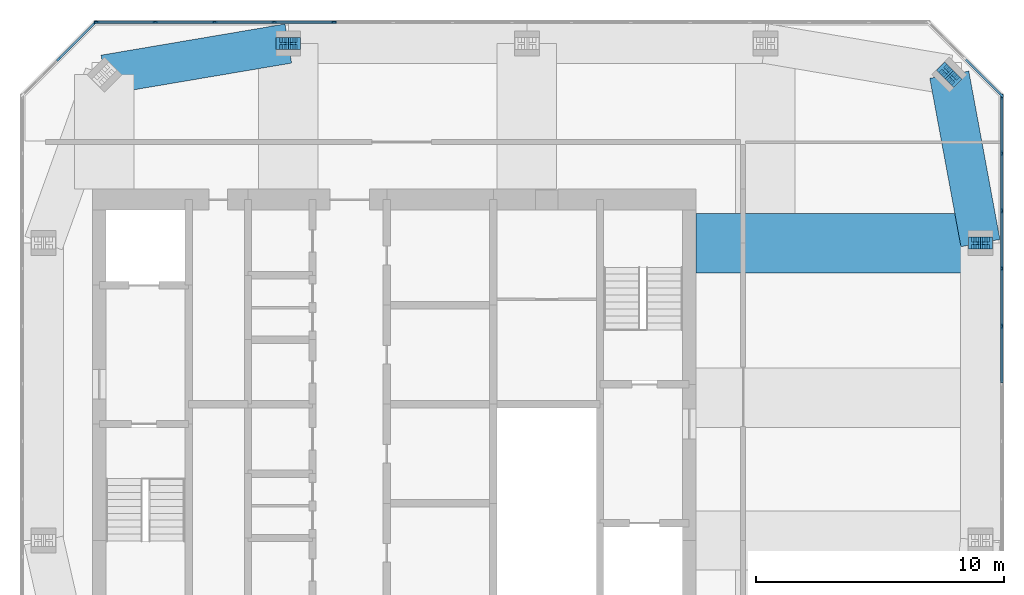
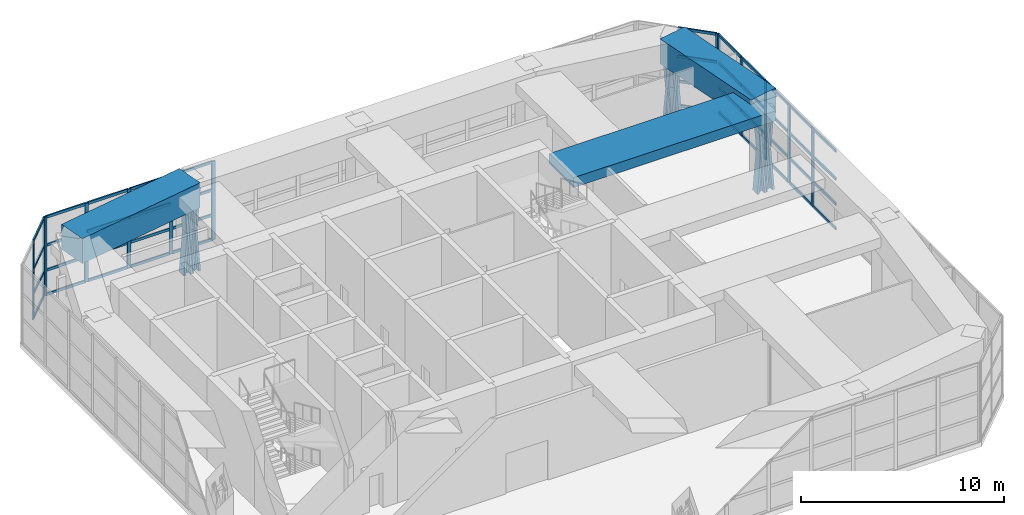
# One storey, part 6 of 14: 69 members, 3 beams, 4 elements without a shape of their own.
"""IFC4 building model written with IfcOpenShell, lengths in metres."""

from ifc_helpers import new_model, si_unit, direction, frame, origin, origin_2d, place, context, subcontext, project, spatial, rectangle, i_section, extrude, material, material_profile, profile_set, type_object, element, aggregate, save


model = new_model("IFC4")

# Units and contexts
model_context = context("Model", 3, precision=1e-05, world=origin(), true_north=direction((0.0, 1.0)))
body_context = subcontext(model_context, "Body", "Model", "MODEL_VIEW")
ifc_project = project(units=[si_unit("LENGTHUNIT", "METRE"), si_unit("AREAUNIT", "SQUARE_METRE"), si_unit("VOLUMEUNIT", "CUBIC_METRE"), si_unit("PLANEANGLEUNIT", "RADIAN"), si_unit("MASSUNIT", "GRAM", prefix="KILO")], contexts=[model_context])

# Site, building, storey
site_placement = place(None, origin())
site = spatial("IfcSite", under=ifc_project, at=site_placement, CompositionType="ELEMENT")
building_placement = place(site_placement, origin())
building = spatial("IfcBuilding", under=site, at=building_placement, Name="Jalousie Tower", CompositionType="ELEMENT")
storey_placement = place(building_placement, frame((0.0, 0.0, 272.75)))
storey = spatial("IfcBuildingStorey", under=building, at=storey_placement, Name="L74", CompositionType="ELEMENT", Elevation=272.75)

# Curtain wall, members
ifc_material_1 = material(Name="Aluminium curtain wall", Category="aluminium")
curtain_wall_type = type_object("IfcCurtainWallType", Name="CROWN LOUVRE WALL", PredefinedType="USERDEFINED", material=ifc_material_1)
curtain_wall_1_placement = place(storey_placement, origin())
curtain_wall_1 = element("IfcCurtainWall", 1, at=curtain_wall_1_placement, inside=storey, type_object=curtain_wall_type, Name="Crown Louvre Wall L74 3", ObjectType="CROWN LOUVRE WALL", PredefinedType="USERDEFINED")
ifc_material_2 = material(Name="Aluminium mullion", Category="aluminium")
ifc_material_profile_1 = material_profile(ifc_material_2, rectangle(XDim=0.080078125, YDim=0.199951171875, at=origin_2d()), Name="MULLION 80x200")
ifc_profile_set_1 = profile_set([ifc_material_profile_1], Name="Aluminium mullion")
member_type_1 = type_object("IfcMemberType", Name="CROWN LOUVRE WALL MULLION", PredefinedType="MULLION", material=ifc_profile_set_1)
member_1_placement = place(storey_placement, frame((56.41259765625, 21.649658203125, 0.0), z_axis=(0.0, 0.0, 1.0), x_axis=(-1.0, 0.0, 0.0)))
member_1 = element("IfcMember", 2, at=member_1_placement, type_object=member_type_1, Name="CW-L mullion 9", PredefinedType="MULLION", context=body_context, shape_type="SweptSolid", body=[
    extrude(rectangle(XDim=0.080078125, YDim=0.199951171875, at=origin_2d()), origin(), (0.0, 0.0, 1.0), 4.719970703125),
])
member_2_placement = place(storey_placement, frame((56.41259765625, 23.974365234375, 0.0), z_axis=(0.0, 0.0, 1.0), x_axis=(-1.0, 0.0, 0.0)))
member_2 = element("IfcMember", 3, at=member_2_placement, type_object=member_type_1, Name="CW-L mullion 10", PredefinedType="MULLION", context=body_context, shape_type="SweptSolid", body=[
    extrude(rectangle(XDim=0.080078125, YDim=0.199951171875, at=origin_2d()), origin(), (0.0, 0.0, 1.0), 4.719970703125),
])
member_3_placement = place(storey_placement, frame((56.41259765625, 26.299072265625, 0.0), z_axis=(0.0, 0.0, 1.0), x_axis=(-1.0, 0.0, 0.0)))
member_3 = element("IfcMember", 4, at=member_3_placement, type_object=member_type_1, Name="CW-L mullion 11", PredefinedType="MULLION", context=body_context, shape_type="SweptSolid", body=[
    extrude(rectangle(XDim=0.080078125, YDim=0.199951171875, at=origin_2d()), origin(), (0.0, 0.0, 1.0), 4.719970703125),
])
member_4_placement = place(storey_placement, frame((56.41259765625, 28.6240234375, 0.0), z_axis=(0.0, 0.0, 1.0), x_axis=(-1.0, 0.0, 0.0)))
member_4 = element("IfcMember", 5, at=member_4_placement, type_object=member_type_1, Name="CW-L mullion 12", PredefinedType="MULLION", context=body_context, shape_type="SweptSolid", body=[
    extrude(rectangle(XDim=0.080078125, YDim=0.199951171875, at=origin_2d()), origin(), (0.0, 0.0, 1.0), 4.719970703125),
])
member_5_placement = place(storey_placement, frame((56.41259765625, 30.90869140625, 0.0), z_axis=(0.0, 0.0, 1.0), x_axis=(-1.0, 0.0, 0.0)))
member_5 = element("IfcMember", 6, at=member_5_placement, type_object=member_type_1, Name="CW-L mullion 13", PredefinedType="MULLION", context=body_context, shape_type="SweptSolid", body=[
    extrude(rectangle(XDim=0.080078125, YDim=0.199951171875, at=origin_2d()), origin(), (0.0, 0.0, 1.0), 4.719970703125),
])

# Curtain wall, member
curtain_wall_2_placement = place(storey_placement, origin())
curtain_wall_2 = element("IfcCurtainWall", 7, at=curtain_wall_2_placement, inside=storey, type_object=curtain_wall_type, Name="Crown Louvre Wall L74 4", ObjectType="CROWN LOUVRE WALL", PredefinedType="USERDEFINED")
member_6_placement = place(storey_placement, frame((56.38427734375, 30.97705078125, 0.0), z_axis=(0.0, 0.0, 1.0), x_axis=(-0.707106781187, -0.707106781187, 0.0)))
member_6 = element("IfcMember", 8, at=member_6_placement, type_object=member_type_1, Name="CW-L mullion 1", PredefinedType="MULLION", context=body_context, shape_type="SweptSolid", body=[
    extrude(rectangle(XDim=0.080078125, YDim=0.199951171875, at=origin_2d()), origin(), (0.0, 0.0, 1.0), 4.719970703125),
])

# Curtain wall, members
curtain_wall_3_placement = place(storey_placement, origin())
curtain_wall_3 = element("IfcCurtainWall", 9, at=curtain_wall_3_placement, inside=storey, type_object=curtain_wall_type, Name="Crown Louvre Wall L74 5", ObjectType="CROWN LOUVRE WALL", PredefinedType="USERDEFINED")
member_7_placement = place(storey_placement, frame((29.450439453125, 33.91259765625, 0.0), z_axis=(0.0, 0.0, 1.0), x_axis=(0.0, -1.0, 0.0)))
member_7 = element("IfcMember", 10, at=member_7_placement, type_object=member_type_1, Name="CW-L mullion 11", PredefinedType="MULLION", context=body_context, shape_type="SweptSolid", body=[
    extrude(rectangle(XDim=0.080078125, YDim=0.199951171875, at=origin_2d()), origin(), (0.0, 0.0, 1.0), 4.719970703125),
])
member_8_placement = place(storey_placement, frame((27.05078125, 33.91259765625, 0.0), z_axis=(0.0, 0.0, 1.0), x_axis=(0.0, -1.0, 0.0)))
member_8 = element("IfcMember", 11, at=member_8_placement, type_object=member_type_1, Name="CW-L mullion 12", PredefinedType="MULLION", context=body_context, shape_type="SweptSolid", body=[
    extrude(rectangle(XDim=0.080078125, YDim=0.199951171875, at=origin_2d()), origin(), (0.0, 0.0, 1.0), 4.719970703125),
])
member_9_placement = place(storey_placement, frame((24.65087890625, 33.91259765625, 0.0), z_axis=(0.0, 0.0, 1.0), x_axis=(0.0, -1.0, 0.0)))
member_9 = element("IfcMember", 12, at=member_9_placement, type_object=member_type_1, Name="CW-L mullion 13", PredefinedType="MULLION", context=body_context, shape_type="SweptSolid", body=[
    extrude(rectangle(XDim=0.080078125, YDim=0.199951171875, at=origin_2d()), origin(), (0.0, 0.0, 1.0), 4.719970703125),
])
member_10_placement = place(storey_placement, frame((22.251220703125, 33.91259765625, 0.0), z_axis=(0.0, 0.0, 1.0), x_axis=(0.0, -1.0, 0.0)))
member_10 = element("IfcMember", 13, at=member_10_placement, type_object=member_type_1, Name="CW-L mullion 14", PredefinedType="MULLION", context=body_context, shape_type="SweptSolid", body=[
    extrude(rectangle(XDim=0.080078125, YDim=0.199951171875, at=origin_2d()), origin(), (0.0, 0.0, 1.0), 4.719970703125),
])
member_11_placement = place(storey_placement, frame((19.891357421875, 33.91259765625, 0.0), z_axis=(0.0, 0.0, 1.0), x_axis=(0.0, -1.0, 0.0)))
member_11 = element("IfcMember", 14, at=member_11_placement, type_object=member_type_1, Name="CW-L mullion 15", PredefinedType="MULLION", context=body_context, shape_type="SweptSolid", body=[
    extrude(rectangle(XDim=0.080078125, YDim=0.199951171875, at=origin_2d()), origin(), (0.0, 0.0, 1.0), 4.719970703125),
])

curtain_wall_4_placement = place(storey_placement, origin())
curtain_wall_4 = element("IfcCurtainWall", 15, at=curtain_wall_4_placement, inside=storey, type_object=curtain_wall_type, Name="Crown Louvre Wall L74 6", ObjectType="CROWN LOUVRE WALL", PredefinedType="USERDEFINED")
member_12_placement = place(storey_placement, frame((19.822998046875, 33.88427734375, 0.0), z_axis=(0.0, 0.0, 1.0), x_axis=(0.707106781187, -0.707106781187, 0.0)))
member_12 = element("IfcMember", 16, at=member_12_placement, type_object=member_type_1, Name="CW-L mullion 1", PredefinedType="MULLION", context=body_context, shape_type="SweptSolid", body=[
    extrude(rectangle(XDim=0.080078125, YDim=0.199951171875, at=origin_2d()), origin(), (0.0, 0.0, 1.0), 4.719970703125),
])
member_13_placement = place(storey_placement, frame((18.369384765625, 32.4306640625, 0.0), z_axis=(0.0, 0.0, 1.0), x_axis=(0.707106781187, -0.707106781187, 0.0)))
member_13 = element("IfcMember", 17, at=member_13_placement, type_object=member_type_1, Name="CW-L mullion 2", PredefinedType="MULLION", context=body_context, shape_type="SweptSolid", body=[
    extrude(rectangle(XDim=0.080078125, YDim=0.199951171875, at=origin_2d()), origin(), (0.0, 0.0, 1.0), 4.719970703125),
])

# Member
ifc_material_3 = material(Name="Aluminium transom", Category="aluminium")
ifc_material_profile_2 = material_profile(ifc_material_3, rectangle(XDim=0.080078125, YDim=0.159912109375, at=origin_2d()), Name="TRANSOM 80x160")
ifc_profile_set_2 = profile_set([ifc_material_profile_2], Name="Aluminium transom")
member_type_2 = type_object("IfcMemberType", Name="CROWN LOUVRE WALL TRANSOM", PredefinedType="USERDEFINED", material=ifc_profile_set_2)
member_14_placement = place(storey_placement, frame((56.41259765625, 19.36474609375, 0.0400390625), z_axis=(0.0, 1.0, 0.0), x_axis=(-1.0, 0.0, 0.0)))
member_14 = element("IfcMember", 18, at=member_14_placement, type_object=member_type_2, Name="CW-L transom 8.1", ObjectType="TRANSOM", PredefinedType="USERDEFINED", context=body_context, shape_type="SweptSolid", body=[
    extrude(rectangle(XDim=0.080078125, YDim=0.159912109375, at=origin_2d()), origin(), (0.0, 0.0, 1.0), 2.244873046875),
])

member_15_placement = place(storey_placement, frame((56.41259765625, 19.36474609375, 1.5), z_axis=(0.0, 1.0, 0.0), x_axis=(-1.0, 0.0, 0.0)))
member_15 = element("IfcMember", 19, at=member_15_placement, type_object=member_type_2, Name="CW-L transom 8.2", ObjectType="TRANSOM", PredefinedType="USERDEFINED", context=body_context, shape_type="SweptSolid", body=[
    extrude(rectangle(XDim=0.080078125, YDim=0.159912109375, at=origin_2d()), origin(), (0.0, 0.0, 1.0), 2.244873046875),
])

member_16_placement = place(storey_placement, frame((56.41259765625, 19.36474609375, 3.0), z_axis=(0.0, 1.0, 0.0), x_axis=(-1.0, 0.0, 0.0)))
member_16 = element("IfcMember", 20, at=member_16_placement, type_object=member_type_2, Name="CW-L transom 8.3", ObjectType="TRANSOM", PredefinedType="USERDEFINED", context=body_context, shape_type="SweptSolid", body=[
    extrude(rectangle(XDim=0.080078125, YDim=0.159912109375, at=origin_2d()), origin(), (0.0, 0.0, 1.0), 2.244873046875),
])

member_17_placement = place(storey_placement, frame((56.41259765625, 19.36474609375, 4.679931640625), z_axis=(0.0, 1.0, 0.0), x_axis=(-1.0, 0.0, 0.0)))
member_17 = element("IfcMember", 21, at=member_17_placement, type_object=member_type_2, Name="CW-L transom 8.4", ObjectType="TRANSOM", PredefinedType="USERDEFINED", context=body_context, shape_type="SweptSolid", body=[
    extrude(rectangle(XDim=0.080078125, YDim=0.159912109375, at=origin_2d()), origin(), (0.0, 0.0, 1.0), 2.244873046875),
])

member_18_placement = place(storey_placement, frame((56.41259765625, 21.689453125, 0.0400390625), z_axis=(0.0, 1.0, 0.0), x_axis=(-1.0, 0.0, 0.0)))
member_18 = element("IfcMember", 22, at=member_18_placement, type_object=member_type_2, Name="CW-L transom 9.1", ObjectType="TRANSOM", PredefinedType="USERDEFINED", context=body_context, shape_type="SweptSolid", body=[
    extrude(rectangle(XDim=0.080078125, YDim=0.159912109375, at=origin_2d()), origin(), (0.0, 0.0, 1.0), 2.244873046875),
])

member_19_placement = place(storey_placement, frame((56.41259765625, 21.689453125, 1.5), z_axis=(0.0, 1.0, 0.0), x_axis=(-1.0, 0.0, 0.0)))
member_19 = element("IfcMember", 23, at=member_19_placement, type_object=member_type_2, Name="CW-L transom 9.2", ObjectType="TRANSOM", PredefinedType="USERDEFINED", context=body_context, shape_type="SweptSolid", body=[
    extrude(rectangle(XDim=0.080078125, YDim=0.159912109375, at=origin_2d()), origin(), (0.0, 0.0, 1.0), 2.244873046875),
])

member_20_placement = place(storey_placement, frame((56.41259765625, 21.689453125, 3.0), z_axis=(0.0, 1.0, 0.0), x_axis=(-1.0, 0.0, 0.0)))
member_20 = element("IfcMember", 24, at=member_20_placement, type_object=member_type_2, Name="CW-L transom 9.3", ObjectType="TRANSOM", PredefinedType="USERDEFINED", context=body_context, shape_type="SweptSolid", body=[
    extrude(rectangle(XDim=0.080078125, YDim=0.159912109375, at=origin_2d()), origin(), (0.0, 0.0, 1.0), 2.244873046875),
])

member_21_placement = place(storey_placement, frame((56.41259765625, 21.689453125, 4.679931640625), z_axis=(0.0, 1.0, 0.0), x_axis=(-1.0, 0.0, 0.0)))
member_21 = element("IfcMember", 25, at=member_21_placement, type_object=member_type_2, Name="CW-L transom 9.4", ObjectType="TRANSOM", PredefinedType="USERDEFINED", context=body_context, shape_type="SweptSolid", body=[
    extrude(rectangle(XDim=0.080078125, YDim=0.159912109375, at=origin_2d()), origin(), (0.0, 0.0, 1.0), 2.244873046875),
])

member_22_placement = place(storey_placement, frame((56.41259765625, 24.014404296875, 0.0400390625), z_axis=(0.0, 1.0, 0.0), x_axis=(-1.0, 0.0, 0.0)))
member_22 = element("IfcMember", 26, at=member_22_placement, type_object=member_type_2, Name="CW-L transom 10.1", ObjectType="TRANSOM", PredefinedType="USERDEFINED", context=body_context, shape_type="SweptSolid", body=[
    extrude(rectangle(XDim=0.080078125, YDim=0.159912109375, at=origin_2d()), origin(), (0.0, 0.0, 1.0), 2.24462890625),
])

member_23_placement = place(storey_placement, frame((56.41259765625, 24.014404296875, 1.5), z_axis=(0.0, 1.0, 0.0), x_axis=(-1.0, 0.0, 0.0)))
member_23 = element("IfcMember", 27, at=member_23_placement, type_object=member_type_2, Name="CW-L transom 10.2", ObjectType="TRANSOM", PredefinedType="USERDEFINED", context=body_context, shape_type="SweptSolid", body=[
    extrude(rectangle(XDim=0.080078125, YDim=0.159912109375, at=origin_2d()), origin(), (0.0, 0.0, 1.0), 2.24462890625),
])

member_24_placement = place(storey_placement, frame((56.41259765625, 24.014404296875, 3.0), z_axis=(0.0, 1.0, 0.0), x_axis=(-1.0, 0.0, 0.0)))
member_24 = element("IfcMember", 28, at=member_24_placement, type_object=member_type_2, Name="CW-L transom 10.3", ObjectType="TRANSOM", PredefinedType="USERDEFINED", context=body_context, shape_type="SweptSolid", body=[
    extrude(rectangle(XDim=0.080078125, YDim=0.159912109375, at=origin_2d()), origin(), (0.0, 0.0, 1.0), 2.24462890625),
])

member_25_placement = place(storey_placement, frame((56.41259765625, 24.014404296875, 4.679931640625), z_axis=(0.0, 1.0, 0.0), x_axis=(-1.0, 0.0, 0.0)))
member_25 = element("IfcMember", 29, at=member_25_placement, type_object=member_type_2, Name="CW-L transom 10.4", ObjectType="TRANSOM", PredefinedType="USERDEFINED", context=body_context, shape_type="SweptSolid", body=[
    extrude(rectangle(XDim=0.080078125, YDim=0.159912109375, at=origin_2d()), origin(), (0.0, 0.0, 1.0), 2.24462890625),
])

member_26_placement = place(storey_placement, frame((56.41259765625, 26.339111328125, 0.0400390625), z_axis=(0.0, 1.0, 0.0), x_axis=(-1.0, 0.0, 0.0)))
member_26 = element("IfcMember", 30, at=member_26_placement, type_object=member_type_2, Name="CW-L transom 11.1", ObjectType="TRANSOM", PredefinedType="USERDEFINED", context=body_context, shape_type="SweptSolid", body=[
    extrude(rectangle(XDim=0.080078125, YDim=0.159912109375, at=origin_2d()), origin(), (0.0, 0.0, 1.0), 2.244873046875),
])

member_27_placement = place(storey_placement, frame((56.41259765625, 26.339111328125, 1.5), z_axis=(0.0, 1.0, 0.0), x_axis=(-1.0, 0.0, 0.0)))
member_27 = element("IfcMember", 31, at=member_27_placement, type_object=member_type_2, Name="CW-L transom 11.2", ObjectType="TRANSOM", PredefinedType="USERDEFINED", context=body_context, shape_type="SweptSolid", body=[
    extrude(rectangle(XDim=0.080078125, YDim=0.159912109375, at=origin_2d()), origin(), (0.0, 0.0, 1.0), 2.244873046875),
])

member_28_placement = place(storey_placement, frame((56.41259765625, 26.339111328125, 3.0), z_axis=(0.0, 1.0, 0.0), x_axis=(-1.0, 0.0, 0.0)))
member_28 = element("IfcMember", 32, at=member_28_placement, type_object=member_type_2, Name="CW-L transom 11.3", ObjectType="TRANSOM", PredefinedType="USERDEFINED", context=body_context, shape_type="SweptSolid", body=[
    extrude(rectangle(XDim=0.080078125, YDim=0.159912109375, at=origin_2d()), origin(), (0.0, 0.0, 1.0), 2.244873046875),
])

member_29_placement = place(storey_placement, frame((56.41259765625, 26.339111328125, 4.679931640625), z_axis=(0.0, 1.0, 0.0), x_axis=(-1.0, 0.0, 0.0)))
member_29 = element("IfcMember", 33, at=member_29_placement, type_object=member_type_2, Name="CW-L transom 11.4", ObjectType="TRANSOM", PredefinedType="USERDEFINED", context=body_context, shape_type="SweptSolid", body=[
    extrude(rectangle(XDim=0.080078125, YDim=0.159912109375, at=origin_2d()), origin(), (0.0, 0.0, 1.0), 2.244873046875),
])

member_30_placement = place(storey_placement, frame((56.41259765625, 28.663818359375, 0.0400390625), z_axis=(0.0, 1.0, 0.0), x_axis=(-1.0, 0.0, 0.0)))
member_30 = element("IfcMember", 34, at=member_30_placement, type_object=member_type_2, Name="CW-L transom 12.1", ObjectType="TRANSOM", PredefinedType="USERDEFINED", context=body_context, shape_type="SweptSolid", body=[
    extrude(rectangle(XDim=0.080078125, YDim=0.159912109375, at=origin_2d()), origin(), (0.0, 0.0, 1.0), 2.204833984375),
])

member_31_placement = place(storey_placement, frame((56.41259765625, 28.663818359375, 1.5), z_axis=(0.0, 1.0, 0.0), x_axis=(-1.0, 0.0, 0.0)))
member_31 = element("IfcMember", 35, at=member_31_placement, type_object=member_type_2, Name="CW-L transom 12.2", ObjectType="TRANSOM", PredefinedType="USERDEFINED", context=body_context, shape_type="SweptSolid", body=[
    extrude(rectangle(XDim=0.080078125, YDim=0.159912109375, at=origin_2d()), origin(), (0.0, 0.0, 1.0), 2.204833984375),
])

member_32_placement = place(storey_placement, frame((56.41259765625, 28.663818359375, 3.0), z_axis=(0.0, 1.0, 0.0), x_axis=(-1.0, 0.0, 0.0)))
member_32 = element("IfcMember", 36, at=member_32_placement, type_object=member_type_2, Name="CW-L transom 12.3", ObjectType="TRANSOM", PredefinedType="USERDEFINED", context=body_context, shape_type="SweptSolid", body=[
    extrude(rectangle(XDim=0.080078125, YDim=0.159912109375, at=origin_2d()), origin(), (0.0, 0.0, 1.0), 2.204833984375),
])

member_33_placement = place(storey_placement, frame((56.41259765625, 28.663818359375, 4.679931640625), z_axis=(0.0, 1.0, 0.0), x_axis=(-1.0, 0.0, 0.0)))
member_33 = element("IfcMember", 37, at=member_33_placement, type_object=member_type_2, Name="CW-L transom 12.4", ObjectType="TRANSOM", PredefinedType="USERDEFINED", context=body_context, shape_type="SweptSolid", body=[
    extrude(rectangle(XDim=0.080078125, YDim=0.159912109375, at=origin_2d()), origin(), (0.0, 0.0, 1.0), 2.204833984375),
])

aggregate(curtain_wall_1, [member_1, member_2, member_3, member_4, member_5, member_14, member_15, member_16, member_17, member_18, member_19, member_20, member_21, member_22, member_23, member_24, member_25, member_26, member_27, member_28, member_29, member_30, member_31, member_32, member_33])

member_34_placement = place(storey_placement, frame((56.35595703125, 31.00537109375, 0.0400390625), z_axis=(-0.707106781187, 0.707106781187, 0.0), x_axis=(-0.707106781187, -0.707106781187, 0.0)))
member_34 = element("IfcMember", 38, at=member_34_placement, type_object=member_type_2, Name="CW-L transom 1.1", ObjectType="TRANSOM", PredefinedType="USERDEFINED", context=body_context, shape_type="SweptSolid", body=[
    extrude(rectangle(XDim=0.080078125, YDim=0.159912109375, at=origin_2d()), origin(), (0.0, 0.0, 1.0), 1.9755859375),
])

member_35_placement = place(storey_placement, frame((56.35595703125, 31.00537109375, 1.5), z_axis=(-0.707106781187, 0.707106781187, 0.0), x_axis=(-0.707106781187, -0.707106781187, 0.0)))
member_35 = element("IfcMember", 39, at=member_35_placement, type_object=member_type_2, Name="CW-L transom 1.2", ObjectType="TRANSOM", PredefinedType="USERDEFINED", context=body_context, shape_type="SweptSolid", body=[
    extrude(rectangle(XDim=0.080078125, YDim=0.159912109375, at=origin_2d()), origin(), (0.0, 0.0, 1.0), 1.9755859375),
])

member_36_placement = place(storey_placement, frame((56.35595703125, 31.00537109375, 3.0), z_axis=(-0.707106781187, 0.707106781187, 0.0), x_axis=(-0.707106781187, -0.707106781187, 0.0)))
member_36 = element("IfcMember", 40, at=member_36_placement, type_object=member_type_2, Name="CW-L transom 1.3", ObjectType="TRANSOM", PredefinedType="USERDEFINED", context=body_context, shape_type="SweptSolid", body=[
    extrude(rectangle(XDim=0.080078125, YDim=0.159912109375, at=origin_2d()), origin(), (0.0, 0.0, 1.0), 1.9755859375),
])

member_37_placement = place(storey_placement, frame((56.35595703125, 31.00537109375, 4.679931640625), z_axis=(-0.707106781187, 0.707106781187, 0.0), x_axis=(-0.707106781187, -0.707106781187, 0.0)))
member_37 = element("IfcMember", 41, at=member_37_placement, type_object=member_type_2, Name="CW-L transom 1.4", ObjectType="TRANSOM", PredefinedType="USERDEFINED", context=body_context, shape_type="SweptSolid", body=[
    extrude(rectangle(XDim=0.080078125, YDim=0.159912109375, at=origin_2d()), origin(), (0.0, 0.0, 1.0), 1.9755859375),
])

aggregate(curtain_wall_2, [member_6, member_34, member_35, member_36, member_37])

member_38_placement = place(storey_placement, frame((29.41064453125, 33.91259765625, 0.0400390625), z_axis=(-1.0, 0.0, 0.0), x_axis=(0.0, -1.0, 0.0)))
member_38 = element("IfcMember", 42, at=member_38_placement, type_object=member_type_2, Name="CW-L transom 11.1", ObjectType="TRANSOM", PredefinedType="USERDEFINED", context=body_context, shape_type="SweptSolid", body=[
    extrude(rectangle(XDim=0.080078125, YDim=0.159912109375, at=origin_2d()), origin(), (0.0, 0.0, 1.0), 2.31982421875),
])

member_39_placement = place(storey_placement, frame((29.41064453125, 33.91259765625, 1.5), z_axis=(-1.0, 0.0, 0.0), x_axis=(0.0, -1.0, 0.0)))
member_39 = element("IfcMember", 43, at=member_39_placement, type_object=member_type_2, Name="CW-L transom 11.2", ObjectType="TRANSOM", PredefinedType="USERDEFINED", context=body_context, shape_type="SweptSolid", body=[
    extrude(rectangle(XDim=0.080078125, YDim=0.159912109375, at=origin_2d()), origin(), (0.0, 0.0, 1.0), 2.31982421875),
])

member_40_placement = place(storey_placement, frame((29.41064453125, 33.91259765625, 3.0), z_axis=(-1.0, 0.0, 0.0), x_axis=(0.0, -1.0, 0.0)))
member_40 = element("IfcMember", 44, at=member_40_placement, type_object=member_type_2, Name="CW-L transom 11.3", ObjectType="TRANSOM", PredefinedType="USERDEFINED", context=body_context, shape_type="SweptSolid", body=[
    extrude(rectangle(XDim=0.080078125, YDim=0.159912109375, at=origin_2d()), origin(), (0.0, 0.0, 1.0), 2.31982421875),
])

member_41_placement = place(storey_placement, frame((29.41064453125, 33.91259765625, 4.679931640625), z_axis=(-1.0, 0.0, 0.0), x_axis=(0.0, -1.0, 0.0)))
member_41 = element("IfcMember", 45, at=member_41_placement, type_object=member_type_2, Name="CW-L transom 11.4", ObjectType="TRANSOM", PredefinedType="USERDEFINED", context=body_context, shape_type="SweptSolid", body=[
    extrude(rectangle(XDim=0.080078125, YDim=0.159912109375, at=origin_2d()), origin(), (0.0, 0.0, 1.0), 2.31982421875),
])

member_42_placement = place(storey_placement, frame((27.0107421875, 33.91259765625, 0.0400390625), z_axis=(-1.0, 0.0, 0.0), x_axis=(0.0, -1.0, 0.0)))
member_42 = element("IfcMember", 46, at=member_42_placement, type_object=member_type_2, Name="CW-L transom 12.1", ObjectType="TRANSOM", PredefinedType="USERDEFINED", context=body_context, shape_type="SweptSolid", body=[
    extrude(rectangle(XDim=0.080078125, YDim=0.159912109375, at=origin_2d()), origin(), (0.0, 0.0, 1.0), 2.31982421875),
])

member_43_placement = place(storey_placement, frame((27.0107421875, 33.91259765625, 1.5), z_axis=(-1.0, 0.0, 0.0), x_axis=(0.0, -1.0, 0.0)))
member_43 = element("IfcMember", 47, at=member_43_placement, type_object=member_type_2, Name="CW-L transom 12.2", ObjectType="TRANSOM", PredefinedType="USERDEFINED", context=body_context, shape_type="SweptSolid", body=[
    extrude(rectangle(XDim=0.080078125, YDim=0.159912109375, at=origin_2d()), origin(), (0.0, 0.0, 1.0), 2.31982421875),
])

member_44_placement = place(storey_placement, frame((27.0107421875, 33.91259765625, 3.0), z_axis=(-1.0, 0.0, 0.0), x_axis=(0.0, -1.0, 0.0)))
member_44 = element("IfcMember", 48, at=member_44_placement, type_object=member_type_2, Name="CW-L transom 12.3", ObjectType="TRANSOM", PredefinedType="USERDEFINED", context=body_context, shape_type="SweptSolid", body=[
    extrude(rectangle(XDim=0.080078125, YDim=0.159912109375, at=origin_2d()), origin(), (0.0, 0.0, 1.0), 2.31982421875),
])

member_45_placement = place(storey_placement, frame((27.0107421875, 33.91259765625, 4.679931640625), z_axis=(-1.0, 0.0, 0.0), x_axis=(0.0, -1.0, 0.0)))
member_45 = element("IfcMember", 49, at=member_45_placement, type_object=member_type_2, Name="CW-L transom 12.4", ObjectType="TRANSOM", PredefinedType="USERDEFINED", context=body_context, shape_type="SweptSolid", body=[
    extrude(rectangle(XDim=0.080078125, YDim=0.159912109375, at=origin_2d()), origin(), (0.0, 0.0, 1.0), 2.31982421875),
])

member_46_placement = place(storey_placement, frame((24.61083984375, 33.91259765625, 0.0400390625), z_axis=(-1.0, 0.0, 0.0), x_axis=(0.0, -1.0, 0.0)))
member_46 = element("IfcMember", 50, at=member_46_placement, type_object=member_type_2, Name="CW-L transom 13.1", ObjectType="TRANSOM", PredefinedType="USERDEFINED", context=body_context, shape_type="SweptSolid", body=[
    extrude(rectangle(XDim=0.080078125, YDim=0.159912109375, at=origin_2d()), origin(), (0.0, 0.0, 1.0), 2.31982421875),
])

member_47_placement = place(storey_placement, frame((24.61083984375, 33.91259765625, 1.5), z_axis=(-1.0, 0.0, 0.0), x_axis=(0.0, -1.0, 0.0)))
member_47 = element("IfcMember", 51, at=member_47_placement, type_object=member_type_2, Name="CW-L transom 13.2", ObjectType="TRANSOM", PredefinedType="USERDEFINED", context=body_context, shape_type="SweptSolid", body=[
    extrude(rectangle(XDim=0.080078125, YDim=0.159912109375, at=origin_2d()), origin(), (0.0, 0.0, 1.0), 2.31982421875),
])

member_48_placement = place(storey_placement, frame((24.61083984375, 33.91259765625, 3.0), z_axis=(-1.0, 0.0, 0.0), x_axis=(0.0, -1.0, 0.0)))
member_48 = element("IfcMember", 52, at=member_48_placement, type_object=member_type_2, Name="CW-L transom 13.3", ObjectType="TRANSOM", PredefinedType="USERDEFINED", context=body_context, shape_type="SweptSolid", body=[
    extrude(rectangle(XDim=0.080078125, YDim=0.159912109375, at=origin_2d()), origin(), (0.0, 0.0, 1.0), 2.31982421875),
])

member_49_placement = place(storey_placement, frame((24.61083984375, 33.91259765625, 4.679931640625), z_axis=(-1.0, 0.0, 0.0), x_axis=(0.0, -1.0, 0.0)))
member_49 = element("IfcMember", 53, at=member_49_placement, type_object=member_type_2, Name="CW-L transom 13.4", ObjectType="TRANSOM", PredefinedType="USERDEFINED", context=body_context, shape_type="SweptSolid", body=[
    extrude(rectangle(XDim=0.080078125, YDim=0.159912109375, at=origin_2d()), origin(), (0.0, 0.0, 1.0), 2.31982421875),
])

member_50_placement = place(storey_placement, frame((22.211181640625, 33.91259765625, 0.0400390625), z_axis=(-1.0, 0.0, 0.0), x_axis=(0.0, -1.0, 0.0)))
member_50 = element("IfcMember", 54, at=member_50_placement, type_object=member_type_2, Name="CW-L transom 14.1", ObjectType="TRANSOM", PredefinedType="USERDEFINED", context=body_context, shape_type="SweptSolid", body=[
    extrude(rectangle(XDim=0.080078125, YDim=0.159912109375, at=origin_2d()), origin(), (0.0, 0.0, 1.0), 2.27978515625),
])

member_51_placement = place(storey_placement, frame((22.211181640625, 33.91259765625, 1.5), z_axis=(-1.0, 0.0, 0.0), x_axis=(0.0, -1.0, 0.0)))
member_51 = element("IfcMember", 55, at=member_51_placement, type_object=member_type_2, Name="CW-L transom 14.2", ObjectType="TRANSOM", PredefinedType="USERDEFINED", context=body_context, shape_type="SweptSolid", body=[
    extrude(rectangle(XDim=0.080078125, YDim=0.159912109375, at=origin_2d()), origin(), (0.0, 0.0, 1.0), 2.27978515625),
])

member_52_placement = place(storey_placement, frame((22.211181640625, 33.91259765625, 3.0), z_axis=(-1.0, 0.0, 0.0), x_axis=(0.0, -1.0, 0.0)))
member_52 = element("IfcMember", 56, at=member_52_placement, type_object=member_type_2, Name="CW-L transom 14.3", ObjectType="TRANSOM", PredefinedType="USERDEFINED", context=body_context, shape_type="SweptSolid", body=[
    extrude(rectangle(XDim=0.080078125, YDim=0.159912109375, at=origin_2d()), origin(), (0.0, 0.0, 1.0), 2.27978515625),
])

member_53_placement = place(storey_placement, frame((22.211181640625, 33.91259765625, 4.679931640625), z_axis=(-1.0, 0.0, 0.0), x_axis=(0.0, -1.0, 0.0)))
member_53 = element("IfcMember", 57, at=member_53_placement, type_object=member_type_2, Name="CW-L transom 14.4", ObjectType="TRANSOM", PredefinedType="USERDEFINED", context=body_context, shape_type="SweptSolid", body=[
    extrude(rectangle(XDim=0.080078125, YDim=0.159912109375, at=origin_2d()), origin(), (0.0, 0.0, 1.0), 2.27978515625),
])

aggregate(curtain_wall_3, [member_7, member_8, member_9, member_10, member_11, member_38, member_39, member_40, member_41, member_42, member_43, member_44, member_45, member_46, member_47, member_48, member_49, member_50, member_51, member_52, member_53])

member_54_placement = place(storey_placement, frame((19.794677734375, 33.85595703125, 0.0400390625), z_axis=(-0.707106781187, -0.707106781187, 0.0), x_axis=(0.707106781187, -0.707106781187, 0.0)))
member_54 = element("IfcMember", 58, at=member_54_placement, type_object=member_type_2, Name="CW-L transom 1.1", ObjectType="TRANSOM", PredefinedType="USERDEFINED", context=body_context, shape_type="SweptSolid", body=[
    extrude(rectangle(XDim=0.080078125, YDim=0.159912109375, at=origin_2d()), origin(), (0.0, 0.0, 1.0), 1.9755859375),
])

member_55_placement = place(storey_placement, frame((19.794677734375, 33.85595703125, 1.5), z_axis=(-0.707106781187, -0.707106781187, 0.0), x_axis=(0.707106781187, -0.707106781187, 0.0)))
member_55 = element("IfcMember", 59, at=member_55_placement, type_object=member_type_2, Name="CW-L transom 1.2", ObjectType="TRANSOM", PredefinedType="USERDEFINED", context=body_context, shape_type="SweptSolid", body=[
    extrude(rectangle(XDim=0.080078125, YDim=0.159912109375, at=origin_2d()), origin(), (0.0, 0.0, 1.0), 1.9755859375),
])

member_56_placement = place(storey_placement, frame((19.794677734375, 33.85595703125, 3.0), z_axis=(-0.707106781187, -0.707106781187, 0.0), x_axis=(0.707106781187, -0.707106781187, 0.0)))
member_56 = element("IfcMember", 60, at=member_56_placement, type_object=member_type_2, Name="CW-L transom 1.3", ObjectType="TRANSOM", PredefinedType="USERDEFINED", context=body_context, shape_type="SweptSolid", body=[
    extrude(rectangle(XDim=0.080078125, YDim=0.159912109375, at=origin_2d()), origin(), (0.0, 0.0, 1.0), 1.9755859375),
])

member_57_placement = place(storey_placement, frame((19.794677734375, 33.85595703125, 4.679931640625), z_axis=(-0.707106781187, -0.707106781187, 0.0), x_axis=(0.707106781187, -0.707106781187, 0.0)))
member_57 = element("IfcMember", 61, at=member_57_placement, type_object=member_type_2, Name="CW-L transom 1.4", ObjectType="TRANSOM", PredefinedType="USERDEFINED", context=body_context, shape_type="SweptSolid", body=[
    extrude(rectangle(XDim=0.080078125, YDim=0.159912109375, at=origin_2d()), origin(), (0.0, 0.0, 1.0), 1.9755859375),
])

aggregate(curtain_wall_4, [member_12, member_13, member_54, member_55, member_56, member_57])

# Members
ifc_material_4 = material(Name="Steel ASTM A992 Grade 50", Category="steel")
ifc_material_profile_3 = material_profile(ifc_material_4, i_section(OverallWidth=0.472412109375, OverallDepth=0.5791015625, WebThickness=0.094970703125, FlangeThickness=0.1298828125, at=origin_2d()), Name="W14X808")
ifc_profile_set_3 = profile_set([ifc_material_profile_3], Name="Steel ASTM A992 Grade 50")
member_type_3 = type_object("IfcMemberType", Name="PERIMETER BRACE W14X808", PredefinedType="BRACE", material=ifc_profile_set_3)
for number, where, z_axis, x_axis, name in (
    (62, (55.35009765625, 25.0, -0.75), (0.079725876999, 0.0, 0.99681682597), (0.0, 1.0, 0.0), "Perimeter brace 07 L74 part 1"),
    (63, (55.550048828125, 25.0, 1.75), (0.079725876999, 0.0, 0.99681682597), (0.0, 1.0, 0.0), "Perimeter brace 07 L74 part 2"),
    (64, (55.75, 25.0, -0.75), (-0.079725876999, 0.0, 0.99681682597), (0.0, -1.0, 0.0), "Perimeter brace 07 L74 part 3"),
    (65, (55.550048828125, 25.0, 1.75), (-0.079725876999, 0.0, 0.99681682597), (0.0, -1.0, 0.0), "Perimeter brace 07 L74 part 4"),
    (66, (54.434326171875, 31.651611328125, -0.75), (-0.056363057148, 0.056363057148, 0.996818143684), (-0.707106781187, -0.707106781187, 0.0), "Perimeter brace 08 L74 part 1"),
    (67, (54.29296875, 31.79296875, 1.75), (-0.056363057148, 0.056363057148, 0.996818143684), (-0.707106781187, -0.707106781187, 0.0), "Perimeter brace 08 L74 part 2"),
    (68, (54.151611328125, 31.934326171875, -0.75), (0.056363057148, -0.056363057148, 0.996818143684), (0.707106781187, 0.707106781187, 0.0), "Perimeter brace 08 L74 part 3"),
    (69, (54.29296875, 31.79296875, 1.75), (0.056363057148, -0.056363057148, 0.996818143684), (0.707106781187, 0.707106781187, 0.0), "Perimeter brace 08 L74 part 4"),
    (70, (27.425048828125, 33.050048828125, -0.75), (0.079725876999, 0.0, 0.99681682597), (0.0, 1.0, 0.0), "Perimeter brace 11 L74 part 1"),
    (71, (27.625, 33.050048828125, 1.75), (0.079725876999, 0.0, 0.99681682597), (0.0, 1.0, 0.0), "Perimeter brace 11 L74 part 2"),
    (72, (27.824951171875, 33.050048828125, -0.75), (-0.079725876999, 0.0, 0.99681682597), (0.0, -1.0, 0.0), "Perimeter brace 11 L74 part 3"),
    (73, (27.625, 33.050048828125, 1.75), (-0.079725876999, 0.0, 0.99681682597), (0.0, -1.0, 0.0), "Perimeter brace 11 L74 part 4"),
):
    element("IfcMember", number, at=place(storey_placement, frame(where, z_axis=z_axis, x_axis=x_axis)), inside=storey, type_object=member_type_3, Name=name, PredefinedType="BRACE", context=body_context, shape_type="SweptSolid", body=[
        extrude(i_section(OverallWidth=0.472412109375, OverallDepth=0.5791015625, WebThickness=0.094970703125, FlangeThickness=0.1298828125, at=origin_2d()), origin(), (0.0, 0.0, 1.0), 2.508056640625),
    ])

# Beams
ifc_material_5 = material(Name="Concrete f'c 40 MPa", Category="concrete")
ifc_material_profile_4 = material_profile(ifc_material_5, rectangle(XDim=1.60009765625, YDim=1.5, at=origin_2d()), Name="RC 1600x1500")
ifc_profile_set_4 = profile_set([ifc_material_profile_4], Name="Concrete f'c 40 MPa")
beam_type_1 = type_object("IfcBeamType", Name="RC BEAM 1600x1500", PredefinedType="BEAM", material=ifc_profile_set_4)
beam_1_placement = place(storey_placement, frame((55.550048828125, 25.0, 4.25), z_axis=(-0.181966505593, 0.983304729391, 0.0), x_axis=(-0.983304729391, -0.181966505593, 0.0)))
element("IfcBeam", 74, at=beam_1_placement, inside=storey, type_object=beam_type_1, Name="Edge band beam 07-08 under RF", PredefinedType="BEAM", context=body_context, shape_type="SweptSolid", body=[
    extrude(rectangle(XDim=1.60009765625, YDim=1.5, at=origin_2d()), origin(), (0.0, 0.0, 1.0), 6.908203125),
])
beam_2_placement = place(storey_placement, frame((27.625, 33.050048828125, 4.25), z_axis=(-0.985942997446, -0.167082033105, 0.0), x_axis=(0.167082033105, -0.985942997446, 0.0)))
element("IfcBeam", 75, at=beam_2_placement, inside=storey, type_object=beam_type_1, Name="Edge band beam 11-12 under RF", PredefinedType="BEAM", context=body_context, shape_type="SweptSolid", body=[
    extrude(rectangle(XDim=1.60009765625, YDim=1.5, at=origin_2d()), origin(), (0.0, 0.0, 1.0), 7.523681640625),
])
ifc_material_6 = material(Name="Concrete f'c 40 MPa", Category="concrete")
ifc_material_profile_5 = material_profile(ifc_material_6, rectangle(XDim=2.39990234375, YDim=0.60009765625, at=origin_2d()), Name="RC 2400x600")
ifc_profile_set_5 = profile_set([ifc_material_profile_5], Name="Concrete f'c 40 MPa")
beam_type_2 = type_object("IfcBeamType", Name="RC BEAM 2400x600", PredefinedType="BEAM", material=ifc_profile_set_5)
beam_3_placement = place(storey_placement, frame((55.550048828125, 25.0, 4.419921875), z_axis=(-1.0, 0.0, 0.0), x_axis=(0.0, -1.0, 0.0)))
element("IfcBeam", 76, at=beam_3_placement, inside=storey, type_object=beam_type_2, Name="Floor band beam under RF", PredefinedType="BEAM", context=body_context, shape_type="SweptSolid", body=[
    extrude(rectangle(XDim=2.39990234375, YDim=0.60009765625, at=origin_2d()), origin(), (0.0, 0.0, 1.0), 11.47509765625),
])

save(model, "model.ifc")
